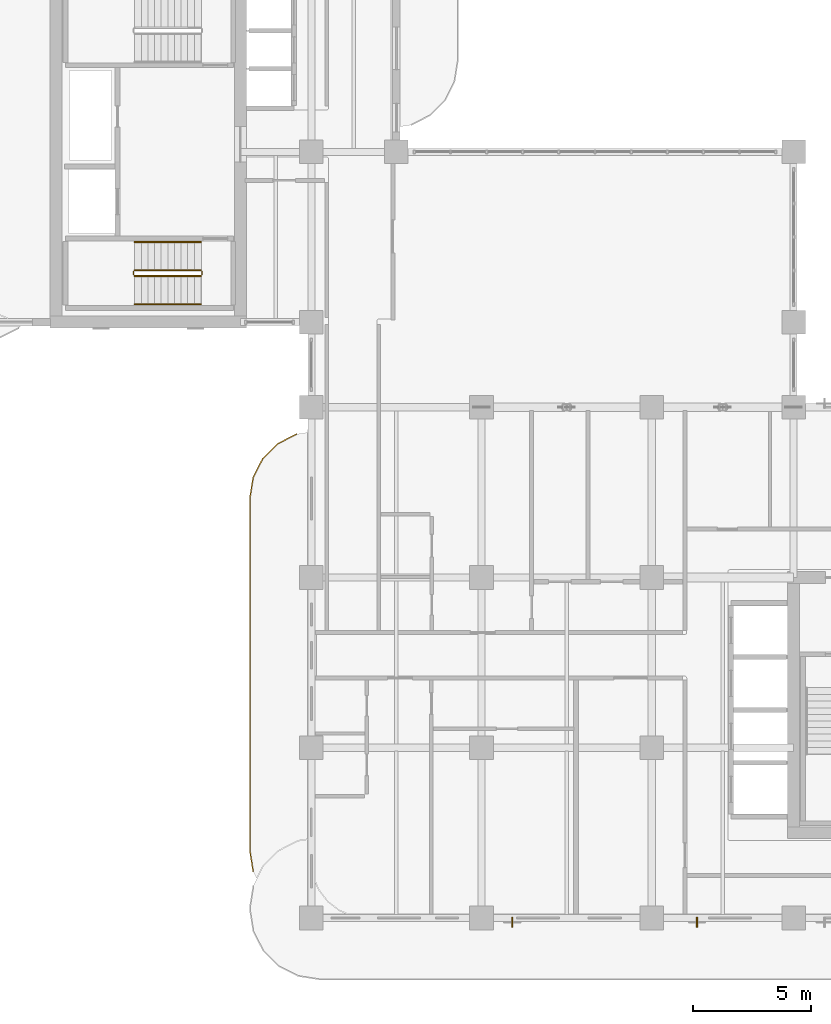
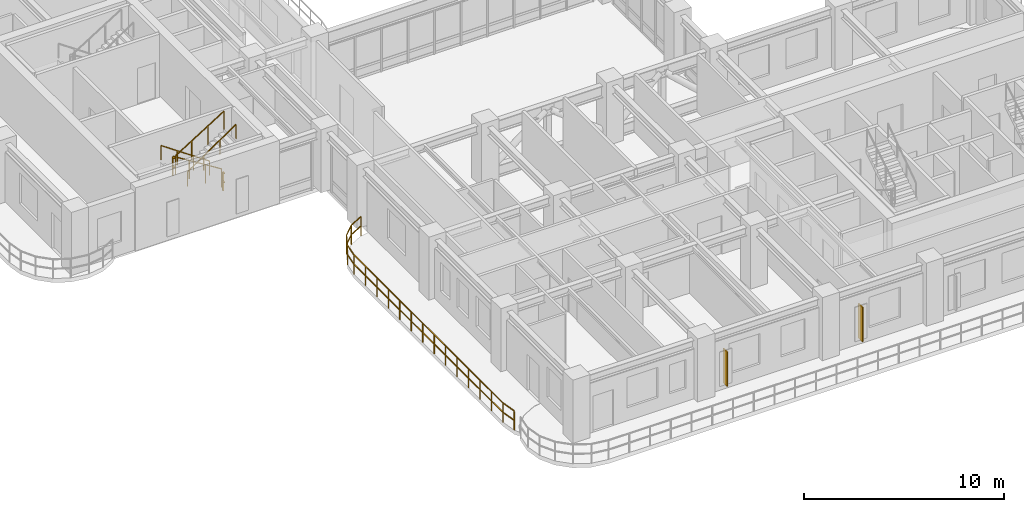
# One storey, part 14 of 17: 7 railings, 2 shading devices.
"""IFC4 building model written with IfcOpenShell, lengths in metres."""

from ifc_helpers import new_model, si_unit, derived_unit, direction, frame, origin, origin_2d, place, context, subcontext, project, spatial, rectangle, extrude, source, transform, mapped, material, layer, layer_set, type_object, type_shapes, element, save


model = new_model("IFC4")

# Units and contexts
model_context = context("Model", 3, precision=1e-05, world=origin(), true_north=direction((0.0, 1.0)))
body_context = subcontext(model_context, "Body", "Model", "MODEL_VIEW")
ifc_project = project(units=[si_unit("LENGTHUNIT", "METRE"), si_unit("AREAUNIT", "SQUARE_METRE"), si_unit("VOLUMEUNIT", "CUBIC_METRE"), si_unit("PLANEANGLEUNIT", "RADIAN"), si_unit("MASSUNIT", "GRAM", prefix="KILO"), si_unit("THERMODYNAMICTEMPERATUREUNIT", "KELVIN"), si_unit("POWERUNIT", "WATT"), derived_unit("THERMALTRANSMITTANCEUNIT", [(si_unit("POWERUNIT", "WATT"), 1), (si_unit("AREAUNIT", "SQUARE_METRE"), -1), (si_unit("THERMODYNAMICTEMPERATUREUNIT", "KELVIN"), -1)])], contexts=[model_context])

# Site, building, storey
site_placement = place(None, origin())
site = spatial("IfcSite", under=ifc_project, at=site_placement, CompositionType="ELEMENT")
building_placement = place(site_placement, origin())
building = spatial("IfcBuilding", under=site, at=building_placement, Name="Zahravan Archway Hotel and Residences", CompositionType="ELEMENT")
storey_placement = place(building_placement, frame((0.0, 0.0, 192.64990234375)))
storey = spatial("IfcBuildingStorey", under=building, at=storey_placement, Name="L48", CompositionType="ELEMENT", Elevation=192.64990234375)

# Railings
ifc_material_1 = material(Name="Bronze & Laminated Glass Balustrade", Category="glass")
railing_type_1 = type_object("IfcRailingType", Name="RL-BAL-1200", PredefinedType="BALUSTRADE", material=ifc_material_1)
railing_1_placement = place(storey_placement, frame((11.939453125, 1.96923828125, 0.0)))
element("IfcRailing", 1, at=railing_1_placement, inside=storey, type_object=railing_type_1, Name="L48 Balustrade RL-SLB-BAL-L48-WA-1", PredefinedType="BALUSTRADE", context=body_context, shape_type="SweptSolid", body=[
    extrude(rectangle(XDim=0.048095703125, YDim=0.048095703125, at=origin_2d()), frame((0.0, 0.0, 1.17578125), z_axis=(-0.156314005608, 0.987707411965, 0.0), x_axis=(-0.987707411965, -0.156314005608, 0.0)), (0.0, 0.0, 1.0), 0.891845703125),
    extrude(rectangle(XDim=0.048095703125, YDim=0.048095703125, at=origin_2d()), frame((0.0, 0.0, 0.60009765625), z_axis=(-0.156314005608, 0.987707411965, 0.0), x_axis=(-0.987707411965, -0.156314005608, 0.0)), (0.0, 0.0, 1.0), 0.891845703125),
    extrude(rectangle(XDim=0.048095703125, YDim=0.048095703125, at=origin_2d()), frame((-0.139404296875, 0.880859375, 1.17578125), z_axis=(0.0, 1.0, 0.0), x_axis=(-1.0, 0.0, 0.0)), (0.0, 0.0, 1.0), 14.89990234375),
    extrude(rectangle(XDim=0.048095703125, YDim=0.048095703125, at=origin_2d()), frame((-0.139404296875, 0.880859375, 0.60009765625), z_axis=(0.0, 1.0, 0.0), x_axis=(-1.0, 0.0, 0.0)), (0.0, 0.0, 1.0), 14.89990234375),
    extrude(rectangle(XDim=0.048095703125, YDim=0.048095703125, at=origin_2d()), frame((-0.139404296875, 15.78076171875, 1.17578125), z_axis=(0.156356282588, 0.987700720307, 0.0), x_axis=(-0.987700720307, 0.156356282588, 0.0)), (0.0, 0.0, 1.0), 0.8916015625),
    extrude(rectangle(XDim=0.048095703125, YDim=0.048095703125, at=origin_2d()), frame((-0.139404296875, 15.78076171875, 0.60009765625), z_axis=(0.156356282588, 0.987700720307, 0.0), x_axis=(-0.987700720307, 0.156356282588, 0.0)), (0.0, 0.0, 1.0), 0.8916015625),
    extrude(rectangle(XDim=0.048095703125, YDim=0.048095703125, at=origin_2d()), frame((0.0, 16.661376953125, 1.17578125), z_axis=(0.45388067135, 0.891062476022, 0.0), x_axis=(-0.891062476022, 0.45388067135, 0.0)), (0.0, 0.0, 1.0), 0.891845703125),
    extrude(rectangle(XDim=0.048095703125, YDim=0.048095703125, at=origin_2d()), frame((0.0, 16.661376953125, 0.60009765625), z_axis=(0.45388067135, 0.891062476022, 0.0), x_axis=(-0.891062476022, 0.45388067135, 0.0)), (0.0, 0.0, 1.0), 0.891845703125),
    extrude(rectangle(XDim=0.048095703125, YDim=0.048095703125, at=origin_2d()), frame((0.40478515625, 17.4560546875, 1.17578125), z_axis=(0.70724367147, 0.706969864397, 0.0), x_axis=(-0.706969864397, 0.70724367147, 0.0)), (0.0, 0.0, 1.0), 0.8916015625),
    extrude(rectangle(XDim=0.048095703125, YDim=0.048095703125, at=origin_2d()), frame((0.40478515625, 17.4560546875, 0.60009765625), z_axis=(0.70724367147, 0.706969864397, 0.0), x_axis=(-0.706969864397, 0.70724367147, 0.0)), (0.0, 0.0, 1.0), 0.8916015625),
    extrude(rectangle(XDim=0.048095703125, YDim=0.048095703125, at=origin_2d()), frame((1.035400390625, 18.08642578125, 1.17578125), z_axis=(0.891006060389, 0.453991409995, 0.0), x_axis=(-0.453991409995, 0.891006060389, 0.0)), (0.0, 0.0, 1.0), 0.8916015625),
    extrude(rectangle(XDim=0.048095703125, YDim=0.048095703125, at=origin_2d()), frame((1.035400390625, 18.08642578125, 0.60009765625), z_axis=(0.891006060389, 0.453991409995, 0.0), x_axis=(-0.453991409995, 0.891006060389, 0.0)), (0.0, 0.0, 1.0), 0.8916015625),
    extrude(rectangle(XDim=0.0419921875, YDim=0.0419921875, at=origin_2d()), origin(), (0.0, 0.0, 1.0), 1.15185546875),
    extrude(rectangle(XDim=0.0419921875, YDim=0.0419921875, at=origin_2d()), frame((-0.139404296875, 0.880859375, 0.0)), (0.0, 0.0, 1.0), 1.15185546875),
    extrude(rectangle(XDim=0.0419921875, YDim=0.0419921875, at=origin_2d()), frame((-0.139404296875, 2.027099609375, 0.0)), (0.0, 0.0, 1.0), 1.15185546875),
    extrude(rectangle(XDim=0.0419921875, YDim=0.0419921875, at=origin_2d()), frame((-0.139404296875, 3.173095703125, 0.0)), (0.0, 0.0, 1.0), 1.15185546875),
    extrude(rectangle(XDim=0.0419921875, YDim=0.0419921875, at=origin_2d()), frame((-0.139404296875, 4.3193359375, 0.0)), (0.0, 0.0, 1.0), 1.15185546875),
    extrude(rectangle(XDim=0.0419921875, YDim=0.0419921875, at=origin_2d()), frame((-0.139404296875, 5.46533203125, 0.0)), (0.0, 0.0, 1.0), 1.15185546875),
    extrude(rectangle(XDim=0.0419921875, YDim=0.0419921875, at=origin_2d()), frame((-0.139404296875, 6.611572265625, 0.0)), (0.0, 0.0, 1.0), 1.15185546875),
    extrude(rectangle(XDim=0.0419921875, YDim=0.0419921875, at=origin_2d()), frame((-0.139404296875, 7.7578125, 0.0)), (0.0, 0.0, 1.0), 1.15185546875),
    extrude(rectangle(XDim=0.0419921875, YDim=0.0419921875, at=origin_2d()), frame((-0.139404296875, 8.90380859375, 0.0)), (0.0, 0.0, 1.0), 1.15185546875),
    extrude(rectangle(XDim=0.0419921875, YDim=0.0419921875, at=origin_2d()), frame((-0.139404296875, 10.050048828125, 0.0)), (0.0, 0.0, 1.0), 1.15185546875),
    extrude(rectangle(XDim=0.0419921875, YDim=0.0419921875, at=origin_2d()), frame((-0.139404296875, 11.1962890625, 0.0)), (0.0, 0.0, 1.0), 1.15185546875),
    extrude(rectangle(XDim=0.0419921875, YDim=0.0419921875, at=origin_2d()), frame((-0.139404296875, 12.34228515625, 0.0)), (0.0, 0.0, 1.0), 1.15185546875),
    extrude(rectangle(XDim=0.0419921875, YDim=0.0419921875, at=origin_2d()), frame((-0.139404296875, 13.488525390625, 0.0)), (0.0, 0.0, 1.0), 1.15185546875),
    extrude(rectangle(XDim=0.0419921875, YDim=0.0419921875, at=origin_2d()), frame((-0.139404296875, 14.634521484375, 0.0)), (0.0, 0.0, 1.0), 1.15185546875),
    extrude(rectangle(XDim=0.0419921875, YDim=0.0419921875, at=origin_2d()), frame((-0.139404296875, 15.78076171875, 0.0)), (0.0, 0.0, 1.0), 1.15185546875),
    extrude(rectangle(XDim=0.0419921875, YDim=0.0419921875, at=origin_2d()), frame((0.0, 16.661376953125, 0.0)), (0.0, 0.0, 1.0), 1.15185546875),
    extrude(rectangle(XDim=0.0419921875, YDim=0.0419921875, at=origin_2d()), frame((0.40478515625, 17.4560546875, 0.0)), (0.0, 0.0, 1.0), 1.15185546875),
    extrude(rectangle(XDim=0.0419921875, YDim=0.0419921875, at=origin_2d()), frame((1.035400390625, 18.08642578125, 0.0)), (0.0, 0.0, 1.0), 1.15185546875),
    extrude(rectangle(XDim=0.0419921875, YDim=0.0419921875, at=origin_2d()), frame((1.829833984375, 18.4912109375, 0.0)), (0.0, 0.0, 1.0), 1.15185546875),
])
ifc_material_2 = material(Name="Painted Tubular Steel", Category="steel")
railing_type_2 = type_object("IfcRailingType", Name="RL-STG-1150", PredefinedType="GUARDRAIL", material=ifc_material_2)
railing_2_placement = place(storey_placement, frame((9.72998046875, 27.389892578125, 0.175048828125)))
element("IfcRailing", 2, at=railing_2_placement, inside=storey, type_object=railing_type_2, Name="L48 ST-B1 stair guard 1", PredefinedType="GUARDRAIL", context=body_context, shape_type="SweptSolid", body=[
    extrude(rectangle(XDim=0.048095703125, YDim=0.048095703125, at=origin_2d()), frame((0.0, 0.0, 1.1259765625), z_axis=(-0.848002457836, 0.0, 0.529992293815), x_axis=(0.0, -1.0, 0.0)), (0.0, 0.0, 1.0), 3.302001953125),
    extrude(rectangle(XDim=0.0419921875, YDim=0.0419921875, at=origin_2d()), origin(), (0.0, 0.0, 1.0), 1.101806640625),
    extrude(rectangle(XDim=0.0419921875, YDim=0.0419921875, at=origin_2d()), frame((-0.933349609375, 0.0, 0.583251953125)), (0.0, 0.0, 1.0), 1.101806640625),
    extrude(rectangle(XDim=0.0419921875, YDim=0.0419921875, at=origin_2d()), frame((-1.86669921875, 0.0, 1.166748046875)), (0.0, 0.0, 1.0), 1.101806640625),
    extrude(rectangle(XDim=0.0419921875, YDim=0.0419921875, at=origin_2d()), frame((-2.800048828125, 0.0, 1.75)), (0.0, 0.0, 1.0), 1.101806640625),
])
railing_3_placement = place(storey_placement, frame((6.8798828125, 27.340087890625, 1.925048828125)))
element("IfcRailing", 3, at=railing_3_placement, inside=storey, type_object=railing_type_2, Name="L48 ST-B1 stair guard 2", PredefinedType="GUARDRAIL", context=body_context, shape_type="SweptSolid", body=[
    extrude(rectangle(XDim=0.048095703125, YDim=0.048095703125, at=origin_2d()), frame((0.0, 0.0, 1.1259765625), z_axis=(0.0, -1.0, 0.0), x_axis=(1.0, 0.0, 0.0)), (0.0, 0.0, 1.0), 0.14013671875),
    extrude(rectangle(XDim=0.048095703125, YDim=0.048095703125, at=origin_2d()), frame((0.0, 0.0, 0.574951171875), z_axis=(0.0, -1.0, 0.0), x_axis=(1.0, 0.0, 0.0)), (0.0, 0.0, 1.0), 0.14013671875),
    extrude(rectangle(XDim=0.0419921875, YDim=0.0419921875, at=origin_2d()), origin(), (0.0, 0.0, 1.0), 1.101806640625),
])
railing_4_placement = place(storey_placement, frame((6.929931640625, 27.14990234375, 2.10009765625)))
element("IfcRailing", 4, at=railing_4_placement, inside=storey, type_object=railing_type_2, Name="L48 ST-B1 stair guard 3", PredefinedType="GUARDRAIL", context=body_context, shape_type="SweptSolid", body=[
    extrude(rectangle(XDim=0.048095703125, YDim=0.048095703125, at=origin_2d()), frame((0.0, 0.0, 1.1259765625), z_axis=(0.848002457836, 0.0, 0.529992293815), x_axis=(0.0, 1.0, 0.0)), (0.0, 0.0, 1.0), 3.302001953125),
    extrude(rectangle(XDim=0.0419921875, YDim=0.0419921875, at=origin_2d()), origin(), (0.0, 0.0, 1.0), 1.101806640625),
    extrude(rectangle(XDim=0.0419921875, YDim=0.0419921875, at=origin_2d()), frame((0.933349609375, 0.0, 0.583251953125)), (0.0, 0.0, 1.0), 1.101806640625),
    extrude(rectangle(XDim=0.0419921875, YDim=0.0419921875, at=origin_2d()), frame((1.86669921875, 0.0, 1.166748046875)), (0.0, 0.0, 1.0), 1.101806640625),
    extrude(rectangle(XDim=0.0419921875, YDim=0.0419921875, at=origin_2d()), frame((2.800048828125, 0.0, 1.75)), (0.0, 0.0, 1.0), 1.101806640625),
])
railing_5_placement = place(storey_placement, frame((9.780029296875, 27.340087890625, 0.0)))
element("IfcRailing", 5, at=railing_5_placement, inside=storey, type_object=railing_type_2, Name="L48 ST-B1 stair guard 4", PredefinedType="GUARDRAIL", context=body_context, shape_type="SweptSolid", body=[
    extrude(rectangle(XDim=0.048095703125, YDim=0.048095703125, at=origin_2d()), frame((0.0, 0.0, 1.1259765625), z_axis=(0.0, -1.0, 0.0), x_axis=(1.0, 0.0, 0.0)), (0.0, 0.0, 1.0), 0.14013671875),
    extrude(rectangle(XDim=0.048095703125, YDim=0.048095703125, at=origin_2d()), frame((0.0, 0.0, 0.574951171875), z_axis=(0.0, -1.0, 0.0), x_axis=(1.0, 0.0, 0.0)), (0.0, 0.0, 1.0), 0.14013671875),
    extrude(rectangle(XDim=0.0419921875, YDim=0.0419921875, at=origin_2d()), origin(), (0.0, 0.0, 1.0), 1.101806640625),
])
ifc_material_3 = material(Name="Brushed Stainless Steel", Category="steel")
railing_type_3 = type_object("IfcRailingType", Name="RL-STH-900", PredefinedType="HANDRAIL", material=ifc_material_3)
railing_6_placement = place(storey_placement, frame((9.72998046875, 28.590087890625, 0.175048828125)))
element("IfcRailing", 6, at=railing_6_placement, inside=storey, type_object=railing_type_3, Name="L48 ST-B1 stair handrail 1", PredefinedType="HANDRAIL", context=body_context, shape_type="SweptSolid", body=[
    extrude(rectangle(XDim=0.048095703125, YDim=0.048095703125, at=origin_2d()), frame((0.0, 0.0, 0.8759765625), z_axis=(-0.824039827795, 0.0, 0.566531872191), x_axis=(0.0, -1.0, 0.0)), (0.0, 0.0, 1.0), 3.39794921875),
    extrude(rectangle(XDim=0.0419921875, YDim=0.0419921875, at=origin_2d()), origin(), (0.0, 0.0, 1.0), 0.851806640625),
    extrude(rectangle(XDim=0.0419921875, YDim=0.0419921875, at=origin_2d()), frame((-0.933349609375, 0.0, 0.6416015625)), (0.0, 0.0, 1.0), 0.851806640625),
    extrude(rectangle(XDim=0.0419921875, YDim=0.0419921875, at=origin_2d()), frame((-1.86669921875, 0.0, 1.283447265625)), (0.0, 0.0, 1.0), 0.851806640625),
    extrude(rectangle(XDim=0.0419921875, YDim=0.0419921875, at=origin_2d()), frame((-2.800048828125, 0.0, 1.925048828125)), (0.0, 0.0, 1.0), 0.851806640625),
])
railing_7_placement = place(storey_placement, frame((6.929931640625, 25.949951171875, 2.10009765625)))
element("IfcRailing", 7, at=railing_7_placement, inside=storey, type_object=railing_type_3, Name="L48 ST-B1 stair handrail 2", PredefinedType="HANDRAIL", context=body_context, shape_type="SweptSolid", body=[
    extrude(rectangle(XDim=0.048095703125, YDim=0.048095703125, at=origin_2d()), frame((0.0, 0.0, 0.8759765625), z_axis=(0.824039827795, 0.0, 0.566531872191), x_axis=(0.0, 1.0, 0.0)), (0.0, 0.0, 1.0), 3.39794921875),
    extrude(rectangle(XDim=0.0419921875, YDim=0.0419921875, at=origin_2d()), origin(), (0.0, 0.0, 1.0), 0.851806640625),
    extrude(rectangle(XDim=0.0419921875, YDim=0.0419921875, at=origin_2d()), frame((0.933349609375, 0.0, 0.6416015625)), (0.0, 0.0, 1.0), 0.851806640625),
    extrude(rectangle(XDim=0.0419921875, YDim=0.0419921875, at=origin_2d()), frame((1.86669921875, 0.0, 1.283447265625)), (0.0, 0.0, 1.0), 0.851806640625),
    extrude(rectangle(XDim=0.0419921875, YDim=0.0419921875, at=origin_2d()), frame((2.800048828125, 0.0, 1.925048828125)), (0.0, 0.0, 1.0), 0.851806640625),
])

# Shading devices
ifc_material_4 = material(Name="Terracotta & Bronze Solar Brise-Soleil", Category="masonry")
ifc_layer = layer(ifc_material_4, 0.06005859375, Name="Terracotta & Bronze Solar Brise-Soleil", Category="masonry")
ifc_layer_set = layer_set([ifc_layer], Name="Terracotta & Bronze Solar Brise-Soleil")
shading_device_type = type_object("IfcShadingDeviceType", Name="SHD-MASH-FIN", PredefinedType="JALOUSIE", material=ifc_layer_set)
shared_shape = source(origin(), body_context, "Body", "SweptSolid", [
    extrude(rectangle(XDim=0.06005859375, YDim=0.419921875, at=origin_2d()), origin(), (0.0, 0.0, 1.0), 2.10009765625),
])
type_shapes(shading_device_type, [shared_shape])
for number, where, z_axis, x_axis, name in (
    (8, (22.89990234375, -0.177978515625, 0.25), (0.0, 0.0, 1.0), (1.0, 0.0, 0.0), "L48 Solar Mashrabiya Fin 01"),
    (9, (30.7080078125, -0.177978515625, 0.25), (0.0, 0.0, 1.0), (1.0, 0.0, 0.0), "L48 Solar Mashrabiya Fin 02"),
):
    element("IfcShadingDevice", number, at=place(storey_placement, frame(where, z_axis=z_axis, x_axis=x_axis)), inside=storey, type_object=shading_device_type, Name=name, PredefinedType="JALOUSIE", context=body_context, shape_type="MappedRepresentation", body=[
        mapped(shared_shape, transform((0.0, 0.0, 0.0), scale=1.0)),
    ])

save(model, "model.ifc")
